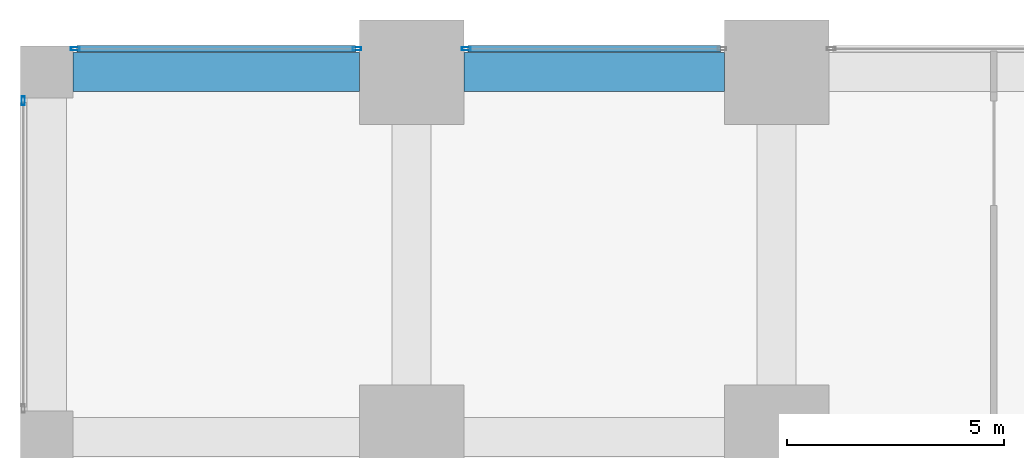
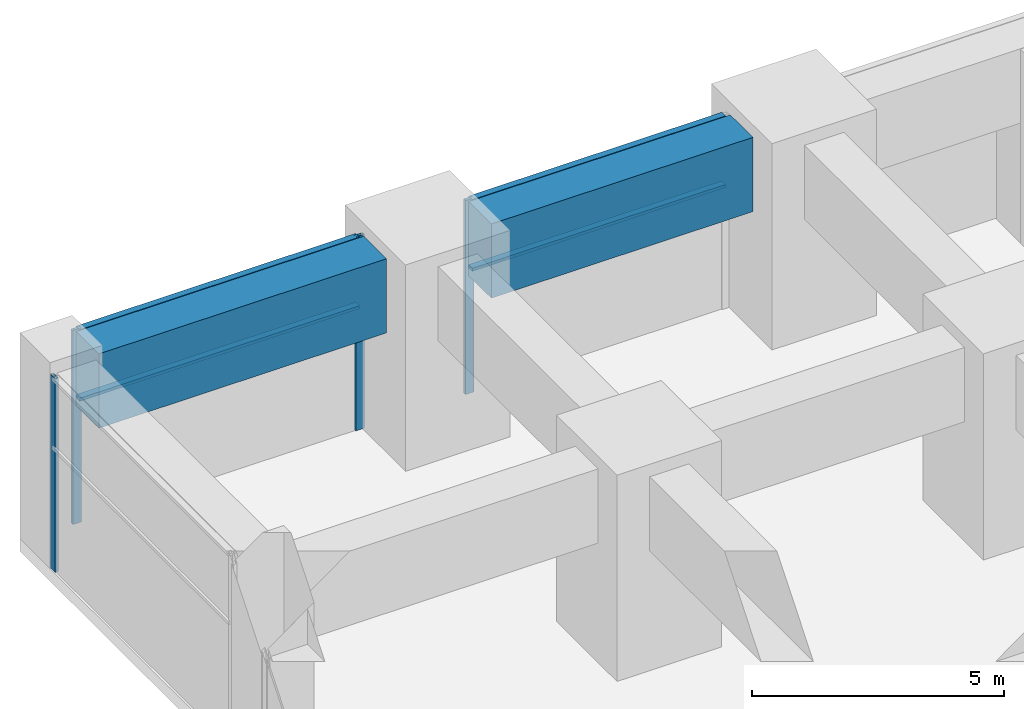
# One storey, part 23 of 49: 8 members, 2 beams, 3 elements without a shape of their own.
"""IFC4 building model written with IfcOpenShell, lengths in metres."""

from ifc_helpers import new_model, si_unit, direction, frame, origin, origin_2d, place, context, subcontext, project, spatial, rectangle, hollow_rectangle, extrude, material, material_profile, profile_set, type_object, element, aggregate, save


model = new_model("IFC4")

# Units and contexts
model_context = context("Model", 3, precision=1e-05, world=origin(), true_north=direction((0.0, 1.0)))
body_context = subcontext(model_context, "Body", "Model", "MODEL_VIEW")
ifc_project = project(units=[si_unit("LENGTHUNIT", "METRE"), si_unit("AREAUNIT", "SQUARE_METRE"), si_unit("VOLUMEUNIT", "CUBIC_METRE"), si_unit("PLANEANGLEUNIT", "RADIAN"), si_unit("MASSUNIT", "GRAM", prefix="KILO")], contexts=[model_context])

# Site, building, storey
site_placement = place(None, origin())
site = spatial("IfcSite", under=ifc_project, at=site_placement, CompositionType="ELEMENT")
building_placement = place(site_placement, origin())
building = spatial("IfcBuilding", under=site, at=building_placement, Name="Rekha Terrace Tower", CompositionType="ELEMENT")
storey_placement = place(building_placement, frame((0.0, 0.0, 5.39990234375)))
storey = spatial("IfcBuildingStorey", under=building, at=storey_placement, Name="L01", CompositionType="ELEMENT", Elevation=5.39990234375)

# Curtain wall, member
ifc_material_1 = material(Name="Aluminium framing", Category="aluminium")
curtain_wall_type = type_object("IfcCurtainWallType", Name="CW4 podium shopfront glazing", PredefinedType="USERDEFINED", material=ifc_material_1)
curtain_wall_1_placement = place(storey_placement, origin())
curtain_wall_1 = element("IfcCurtainWall", 1, at=curtain_wall_1_placement, inside=storey, type_object=curtain_wall_type, Name="CW4 shopfront curtain wall", ObjectType="SHOPFRONT CURTAIN WALL", PredefinedType="USERDEFINED")
ifc_material_2 = material(Name="Aluminium mullion section", Category="aluminium")
ifc_material_profile_1 = material_profile(ifc_material_2, hollow_rectangle(XDim=0.074951171875, YDim=0.199951171875, WallThickness=0.00390625, at=origin_2d()), Name="AL RHS 75x200")
ifc_profile_set_1 = profile_set([ifc_material_profile_1], Name="Aluminium mullion section")
member_type_1 = type_object("IfcMemberType", Name="CW4 mullion RHS 75 x 200", PredefinedType="MULLION", material=ifc_profile_set_1)
member_1_placement = place(storey_placement, frame((9.657470703125, 59.340087890625, 0.0), z_axis=(0.0, 0.0, 1.0), x_axis=(0.0, -1.0, 0.0)))
member_1 = element("IfcMember", 2, at=member_1_placement, type_object=member_type_1, Name="CW4 mullion 2", PredefinedType="MULLION", context=body_context, shape_type="SweptSolid", body=[
    extrude(hollow_rectangle(XDim=0.074951171875, YDim=0.199951171875, WallThickness=0.00390625, at=origin_2d()), origin(), (0.0, 0.0, 1.0), 4.7001953125),
])

# Curtain wall, members
curtain_wall_2_placement = place(storey_placement, origin())
curtain_wall_2 = element("IfcCurtainWall", 3, at=curtain_wall_2_placement, inside=storey, type_object=curtain_wall_type, Name="CW4 shopfront curtain wall", ObjectType="SHOPFRONT CURTAIN WALL", PredefinedType="USERDEFINED")
member_2_placement = place(storey_placement, frame((7.142578125, 59.340087890625, 0.0), z_axis=(0.0, 0.0, 1.0), x_axis=(0.0, -1.0, 0.0)))
member_2 = element("IfcMember", 4, at=member_2_placement, type_object=member_type_1, Name="CW4 mullion 1", PredefinedType="MULLION", context=body_context, shape_type="SweptSolid", body=[
    extrude(hollow_rectangle(XDim=0.074951171875, YDim=0.199951171875, WallThickness=0.00390625, at=origin_2d()), origin(), (0.0, 0.0, 1.0), 4.7001953125),
])
member_3_placement = place(storey_placement, frame((0.657470703125, 59.340087890625, 0.0), z_axis=(0.0, 0.0, 1.0), x_axis=(0.0, -1.0, 0.0)))
member_3 = element("IfcMember", 5, at=member_3_placement, type_object=member_type_1, Name="CW4 mullion 2", PredefinedType="MULLION", context=body_context, shape_type="SweptSolid", body=[
    extrude(hollow_rectangle(XDim=0.074951171875, YDim=0.199951171875, WallThickness=0.00390625, at=origin_2d()), origin(), (0.0, 0.0, 1.0), 4.7001953125),
])

# Curtain wall, member
curtain_wall_3_placement = place(storey_placement, origin())
curtain_wall_3 = element("IfcCurtainWall", 6, at=curtain_wall_3_placement, inside=storey, type_object=curtain_wall_type, Name="CW4 shopfront curtain wall", ObjectType="SHOPFRONT CURTAIN WALL", PredefinedType="USERDEFINED")
member_4_placement = place(storey_placement, frame((-0.5400390625, 58.142578125, 0.0), z_axis=(0.0, 0.0, 1.0), x_axis=(1.0, 0.0, 0.0)))
member_4 = element("IfcMember", 7, at=member_4_placement, type_object=member_type_1, Name="CW4 mullion 1", PredefinedType="MULLION", context=body_context, shape_type="SweptSolid", body=[
    extrude(hollow_rectangle(XDim=0.074951171875, YDim=0.199951171875, WallThickness=0.00390625, at=origin_2d()), origin(), (0.0, 0.0, 1.0), 4.7001953125),
])
aggregate(curtain_wall_3, [member_4])

# Member
ifc_material_3 = material(Name="Aluminium transom section", Category="aluminium")
ifc_material_profile_2 = material_profile(ifc_material_3, hollow_rectangle(XDim=0.14990234375, YDim=0.074951171875, WallThickness=0.0029296875, at=origin_2d()), Name="AL RHS 150x75")
ifc_profile_set_2 = profile_set([ifc_material_profile_2], Name="Aluminium transom section")
member_type_2 = type_object("IfcMemberType", Name="CW4 transom RHS 75 x 150", PredefinedType="USERDEFINED", material=ifc_profile_set_2)
member_5_placement = place(storey_placement, frame((15.5048828125, 59.340087890625, 3.0), z_axis=(-1.0, 0.0, 0.0), x_axis=(0.0, -1.0, 0.0)))
member_5 = element("IfcMember", 8, at=member_5_placement, type_object=member_type_2, Name="CW4 transom 1.2", ObjectType="TRANSOM", PredefinedType="USERDEFINED", context=body_context, shape_type="SweptSolid", body=[
    extrude(hollow_rectangle(XDim=0.14990234375, YDim=0.074951171875, WallThickness=0.0029296875, at=origin_2d()), origin(), (0.0, 0.0, 1.0), 5.809814453125),
])

member_6_placement = place(storey_placement, frame((15.5048828125, 59.340087890625, 4.66259765625), z_axis=(-1.0, 0.0, 0.0), x_axis=(0.0, -1.0, 0.0)))
member_6 = element("IfcMember", 9, at=member_6_placement, type_object=member_type_2, Name="CW4 transom 1.3", ObjectType="TRANSOM", PredefinedType="USERDEFINED", context=body_context, shape_type="SweptSolid", body=[
    extrude(hollow_rectangle(XDim=0.14990234375, YDim=0.074951171875, WallThickness=0.0029296875, at=origin_2d()), origin(), (0.0, 0.0, 1.0), 5.809814453125),
])

aggregate(curtain_wall_1, [member_1, member_5, member_6])

member_7_placement = place(storey_placement, frame((7.10498046875, 59.340087890625, 3.0), z_axis=(-1.0, 0.0, 0.0), x_axis=(0.0, -1.0, 0.0)))
member_7 = element("IfcMember", 10, at=member_7_placement, type_object=member_type_2, Name="CW4 transom 1.2", ObjectType="TRANSOM", PredefinedType="USERDEFINED", context=body_context, shape_type="SweptSolid", body=[
    extrude(hollow_rectangle(XDim=0.14990234375, YDim=0.074951171875, WallThickness=0.0029296875, at=origin_2d()), origin(), (0.0, 0.0, 1.0), 6.409912109375),
])

member_8_placement = place(storey_placement, frame((7.10498046875, 59.340087890625, 4.66259765625), z_axis=(-1.0, 0.0, 0.0), x_axis=(0.0, -1.0, 0.0)))
member_8 = element("IfcMember", 11, at=member_8_placement, type_object=member_type_2, Name="CW4 transom 1.3", ObjectType="TRANSOM", PredefinedType="USERDEFINED", context=body_context, shape_type="SweptSolid", body=[
    extrude(hollow_rectangle(XDim=0.14990234375, YDim=0.074951171875, WallThickness=0.0029296875, at=origin_2d()), origin(), (0.0, 0.0, 1.0), 6.409912109375),
])

aggregate(curtain_wall_2, [member_2, member_3, member_7, member_8])

# Beams
ifc_material_4 = material(Name="Concrete M60", Category="concrete")
ifc_material_profile_3 = material_profile(ifc_material_4, rectangle(XDim=0.89990234375, YDim=1.800048828125, at=origin_2d()), Name="RC 900x1800")
ifc_profile_set_3 = profile_set([ifc_material_profile_3], Name="Concrete M60")
beam_type = type_object("IfcBeamType", Name="G1 900x1800 podium floor beam", PredefinedType="BEAM", material=ifc_profile_set_3)
beam_1_placement = place(storey_placement, frame((0.60009765625, 58.800048828125, 3.800048828125), z_axis=(1.0, 0.0, 0.0), x_axis=(0.0, 1.0, 0.0)))
element("IfcBeam", 12, at=beam_1_placement, inside=storey, type_object=beam_type, Name="Beam G1 1H-2H under L02", PredefinedType="BEAM", context=body_context, shape_type="SweptSolid", body=[
    extrude(rectangle(XDim=0.89990234375, YDim=1.800048828125, at=origin_2d()), origin(), (0.0, 0.0, 1.0), 6.599853515625),
])
beam_2_placement = place(storey_placement, frame((9.60009765625, 58.800048828125, 3.800048828125), z_axis=(1.0, 0.0, 0.0), x_axis=(0.0, 1.0, 0.0)))
element("IfcBeam", 13, at=beam_2_placement, inside=storey, type_object=beam_type, Name="Beam G1 2H-3H under L02", PredefinedType="BEAM", context=body_context, shape_type="SweptSolid", body=[
    extrude(rectangle(XDim=0.89990234375, YDim=1.800048828125, at=origin_2d()), origin(), (0.0, 0.0, 1.0), 6.0),
])

save(model, "model.ifc")
